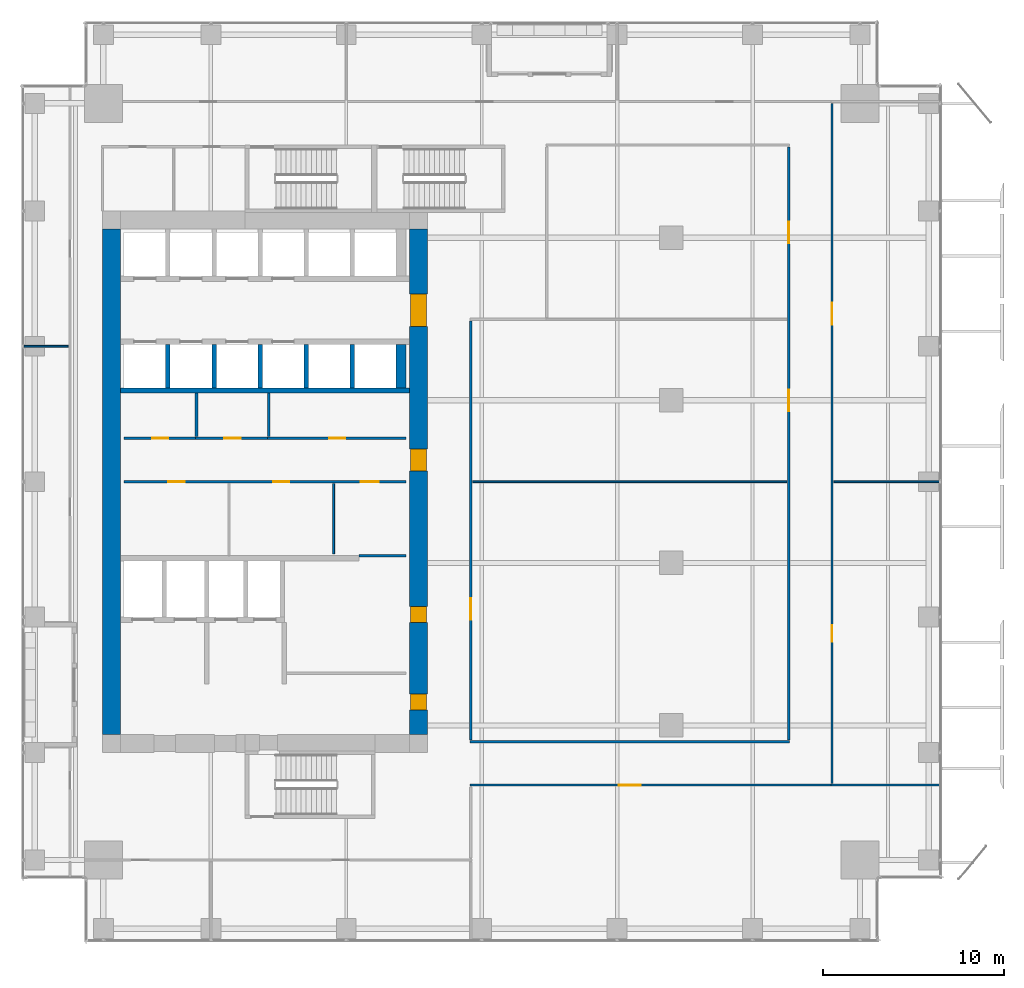
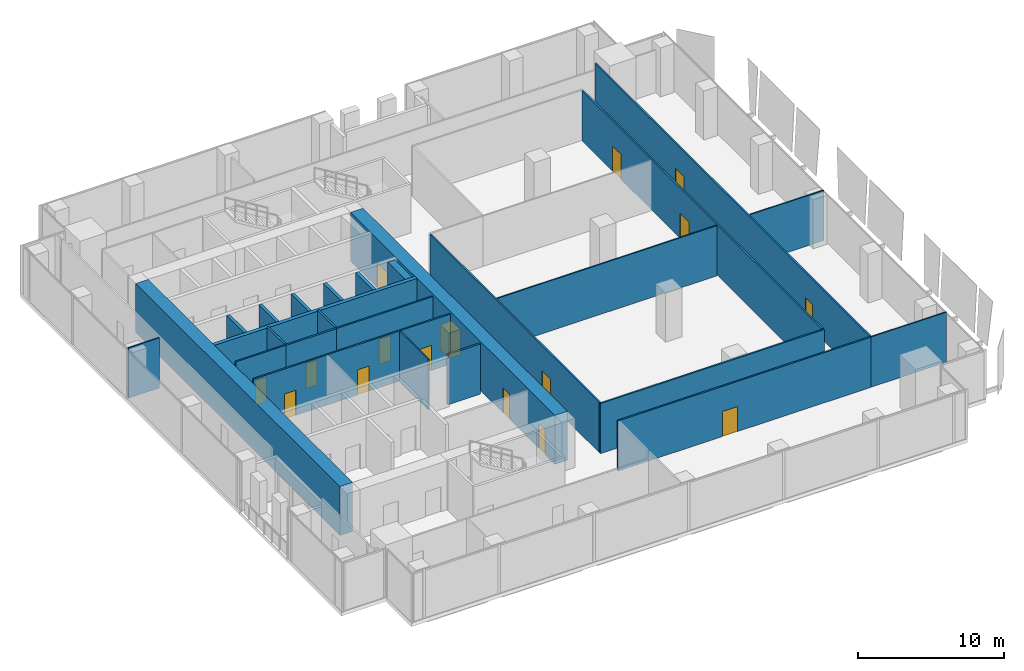
# One storey, part 28 of 33: 26 walls, 16 doors, 16 openings.
"""IFC4 building model written with IfcOpenShell, lengths in metres."""

from ifc_helpers import new_model, si_unit, direction, frame, frame_2d, origin, place, context, subcontext, project, spatial, rectangle, extrude, source, transform, mapped, material, layer, layer_set, type_object, element, fill, save


model = new_model("IFC4")

# Units and contexts
model_context = context("Model", 3, precision=1e-05, world=origin(), true_north=direction((0.0, 1.0)))
body_context = subcontext(model_context, "Body", "Model", "MODEL_VIEW")
ifc_project = project(units=[si_unit("LENGTHUNIT", "METRE"), si_unit("AREAUNIT", "SQUARE_METRE"), si_unit("VOLUMEUNIT", "CUBIC_METRE"), si_unit("PLANEANGLEUNIT", "RADIAN"), si_unit("MASSUNIT", "GRAM", prefix="KILO")], contexts=[model_context])

# Site, building, storey
site_placement = place(None, origin())
site = spatial("IfcSite", under=ifc_project, at=site_placement, CompositionType="ELEMENT")
building_placement = place(site_placement, origin())
building = spatial("IfcBuilding", under=site, at=building_placement, Name="Khomas Fold Tower", CompositionType="ELEMENT")
storey_placement = place(building_placement, frame((0.0, 0.0, 149.89990234375)))
storey = spatial("IfcBuildingStorey", under=building, at=storey_placement, Name="L32", CompositionType="ELEMENT", Elevation=149.89990234375)

# Wall, openings, doors
ifc_material_1 = material(Name="Concrete C70/85", Category="concrete")
ifc_layer_1 = layer(ifc_material_1, 1.0)
ifc_layer_set_1 = layer_set([ifc_layer_1], Name="Concrete C70/85")
wall_type_1 = type_object("IfcWallType", Name="Core wall 1000", PredefinedType="SHEAR", material=ifc_layer_set_1)
shared_shape_1 = source(origin(), body_context, "Body", "SweptSolid", [
    extrude(rectangle(XDim=28.0, YDim=1.0, at=frame_2d((14.0, 0.0))), origin(), (0.0, 0.0, 1.0), 4.10009765625),
])
wall_1_placement = place(storey_placement, frame((23.5, 13.0, 0.0), z_axis=(0.0, 0.0, 1.0), x_axis=(0.0, 1.0, 0.0)))
wall_1 = element("IfcWall", 1, at=wall_1_placement, inside=storey, type_object=wall_type_1, Name="Core wall CW-L-E-L21", PredefinedType="SHEAR", context=body_context, shape_type="MappedRepresentation", body=[
    mapped(shared_shape_1, transform((0.0, 0.0, 0.0))),
])
shared_shape_2 = source(origin(), body_context, "Body", "SweptSolid", [
    extrude(rectangle(XDim=1.800048828125, YDim=2.10009765625, at=frame_2d((0.89990234375, 1.050048828125))), frame((0.0, 0.510009765625, 0.0), z_axis=(0.0, -1.0, 0.0), x_axis=(1.0, 0.0, 0.0)), (0.0, 0.0, 1.0), 1.02001953125),
])
opening_1_placement = place(wall_1_placement, frame((22.60009765625, 0.0, 0.0)))
opening_1 = element("IfcOpeningElement", 2, at=opening_1_placement, cuts=wall_1, Name="Opening 0015", PredefinedType="OPENING", context=body_context, shape_type="MappedRepresentation", body=[
    mapped(shared_shape_2, transform((0.0, 0.0, 0.0))),
])
shared_shape_3 = source(origin(), body_context, "Body", "SweptSolid", [
    extrude(rectangle(XDim=1.199951171875, YDim=2.10009765625, at=frame_2d((0.60009765625, 1.050048828125))), frame((0.0, 0.510009765625, 0.0), z_axis=(0.0, -1.0, 0.0), x_axis=(1.0, 0.0, 0.0)), (0.0, 0.0, 1.0), 1.02001953125),
])
opening_2_placement = place(wall_1_placement, frame((14.60009765625, 0.0, 0.0)))
opening_2 = element("IfcOpeningElement", 3, at=opening_2_placement, cuts=wall_1, Name="Opening 0001", PredefinedType="OPENING", context=body_context, shape_type="MappedRepresentation", body=[
    mapped(shared_shape_3, transform((0.0, 0.0, 0.0))),
])
shared_shape_4 = source(origin(), body_context, "Body", "SweptSolid", [
    extrude(rectangle(XDim=0.89990234375, YDim=2.10009765625, at=frame_2d((0.449951171875, 1.050048828125))), frame((0.0, 0.510009765625, 0.0), z_axis=(0.0, -1.0, 0.0), x_axis=(1.0, 0.0, 0.0)), (0.0, 0.0, 1.0), 1.02001953125),
])
opening_3_placement = place(wall_1_placement, frame((1.35009765625, 0.0, 0.0)))
opening_3 = element("IfcOpeningElement", 4, at=opening_3_placement, cuts=wall_1, Name="Opening 0008", PredefinedType="OPENING", context=body_context, shape_type="MappedRepresentation", body=[
    mapped(shared_shape_4, transform((0.0, 0.0, 0.0))),
])
opening_4_placement = place(wall_1_placement, frame((6.199951171875, 0.0, 0.0)))
opening_4 = element("IfcOpeningElement", 5, at=opening_4_placement, cuts=wall_1, Name="Opening 0003", PredefinedType="OPENING", context=body_context, shape_type="MappedRepresentation", body=[
    mapped(shared_shape_4, transform((0.0, 0.0, 0.0))),
])
ifc_material_2 = material(Name="Steel door leaf", Category="steel")
door_type_1 = type_object("IfcDoorType", Name="Lobby door 1800x2100", OperationType="DOUBLE_DOOR_SINGLE_SWING", PredefinedType="DOOR", material=ifc_material_2)
shared_shape_5 = source(origin(), body_context, "Body", "SweptSolid", [
    extrude(rectangle(XDim=1.800048828125, YDim=2.10009765625, at=frame_2d((0.89990234375, 1.050048828125))), frame((0.0, 0.449951171875, 0.0), z_axis=(0.0, -1.0, 0.0), x_axis=(1.0, 0.0, 0.0)), (0.0, 0.0, 1.0), 0.89990234375),
])
door_1_placement = place(opening_1_placement, origin())
door_1 = element("IfcDoor", 6, at=door_1_placement, inside=storey, type_object=door_type_1, Name="Lobby door", OperationType="DOUBLE_DOOR_SINGLE_SWING", OverallHeight=2.10009765625, OverallWidth=1.800048828125, PredefinedType="DOOR", context=body_context, shape_type="MappedRepresentation", body=[
    mapped(shared_shape_5, transform((0.0, 0.0, 0.0))),
])
fill(opening_1, door_1)
ifc_material_3 = material(Name="Timber door leaf", Category="wood")
door_type_2 = type_object("IfcDoorType", Name="Door 1200x2100 right-hand", OperationType="SINGLE_SWING_RIGHT", PredefinedType="DOOR", material=ifc_material_3)
shared_shape_6 = source(origin(), body_context, "Body", "SweptSolid", [
    extrude(rectangle(XDim=1.199951171875, YDim=2.10009765625, at=frame_2d((0.60009765625, 1.050048828125))), frame((0.0, 0.449951171875, 0.0), z_axis=(0.0, -1.0, 0.0), x_axis=(1.0, 0.0, 0.0)), (0.0, 0.0, 1.0), 0.89990234375),
])
door_2_placement = place(opening_2_placement, origin())
door_2 = element("IfcDoor", 7, at=door_2_placement, inside=storey, type_object=door_type_2, Name="Door", OperationType="SINGLE_SWING_RIGHT", OverallHeight=2.10009765625, OverallWidth=1.199951171875, PredefinedType="DOOR", context=body_context, shape_type="MappedRepresentation", body=[
    mapped(shared_shape_6, transform((0.0, 0.0, 0.0))),
])
fill(opening_2, door_2)
ifc_material_4 = material(Name="Timber door leaf", Category="wood")
door_type_3 = type_object("IfcDoorType", Name="Door 900x2100 right-hand", OperationType="SINGLE_SWING_RIGHT", PredefinedType="DOOR", material=ifc_material_4)
shared_shape_7 = source(origin(), body_context, "Body", "SweptSolid", [
    extrude(rectangle(XDim=0.89990234375, YDim=2.10009765625, at=frame_2d((0.449951171875, 1.050048828125))), frame((0.0, 0.449951171875, 0.0), z_axis=(0.0, -1.0, 0.0), x_axis=(1.0, 0.0, 0.0)), (0.0, 0.0, 1.0), 0.89990234375),
])
door_3_placement = place(opening_3_placement, origin())
door_3 = element("IfcDoor", 8, at=door_3_placement, inside=storey, type_object=door_type_3, Name="Door", OperationType="SINGLE_SWING_RIGHT", OverallHeight=2.10009765625, OverallWidth=0.89990234375, PredefinedType="DOOR", context=body_context, shape_type="MappedRepresentation", body=[
    mapped(shared_shape_7, transform((0.0, 0.0, 0.0))),
])
fill(opening_3, door_3)
ifc_material_5 = material(Name="Steel door leaf", Category="steel")
door_type_4 = type_object("IfcDoorType", Name="Plant room door 900x2100 right-hand", OperationType="SINGLE_SWING_RIGHT", PredefinedType="DOOR", material=ifc_material_5)
door_4_placement = place(opening_4_placement, origin())
door_4 = element("IfcDoor", 9, at=door_4_placement, inside=storey, type_object=door_type_4, Name="Plant room door", OperationType="SINGLE_SWING_RIGHT", OverallHeight=2.10009765625, OverallWidth=0.89990234375, PredefinedType="DOOR", context=body_context, shape_type="MappedRepresentation", body=[
    mapped(shared_shape_7, transform((0.0, 0.0, 0.0))),
])
fill(opening_4, door_4)

# Walls
wall_2_placement = place(storey_placement, frame((6.5, 13.0, 0.0), z_axis=(0.0, 0.0, 1.0), x_axis=(0.0, 1.0, 0.0)))
element("IfcWall", 10, at=wall_2_placement, inside=storey, type_object=wall_type_1, Name="Core wall CW-L-W-L21", PredefinedType="SHEAR", context=body_context, shape_type="MappedRepresentation", body=[
    mapped(shared_shape_1, transform((0.0, 0.0, 0.0))),
])
ifc_material_6 = material(Name="Concrete C50/60", Category="concrete")
ifc_layer_2 = layer(ifc_material_6, 0.300048828125)
ifc_layer_set_2 = layer_set([ifc_layer_2], Name="Concrete C50/60")
wall_type_2 = type_object("IfcWallType", Name="Shaft wall 300", PredefinedType="STANDARD", material=ifc_layer_set_2)
shared_shape_8 = source(origin(), body_context, "Body", "SweptSolid", [
    extrude(rectangle(XDim=16.0, YDim=0.300048828125, at=frame_2d((8.0, 0.0))), origin(), (0.0, 0.0, 1.0), 4.10009765625),
])
wall_3_placement = place(storey_placement, frame((7.0, 32.050048828125, 0.0), z_axis=(0.0, 0.0, 1.0), x_axis=(1.0, 0.0, 0.0)))
element("IfcWall", 11, at=wall_3_placement, inside=storey, type_object=wall_type_2, Name="Core wall SW-HRN-B", PredefinedType="STANDARD", context=body_context, shape_type="MappedRepresentation", body=[
    mapped(shared_shape_8, transform((0.0, 0.0, 0.0))),
])
ifc_material_7 = material(Name="Concrete C50/60", Category="concrete")
ifc_layer_3 = layer(ifc_material_7, 0.25)
ifc_layer_set_3 = layer_set([ifc_layer_3], Name="Concrete C50/60")
wall_type_3 = type_object("IfcWallType", Name="Shaft wall 250", PredefinedType="STANDARD", material=ifc_layer_set_3)
shared_shape_9 = source(origin(), body_context, "Body", "SweptSolid", [
    extrude(rectangle(XDim=2.400146484375, YDim=0.25, at=frame_2d((1.2001953125, 0.0))), origin(), (0.0, 0.0, 1.0), 4.10009765625),
])
for number, where, z_axis, x_axis, name in (
    (12, (9.625, 32.199951171875, 0.0), (0.0, 0.0, 1.0), (0.0, 1.0, 0.0), "Core wall SW-LRS-P1"),
    (13, (12.175048828125, 32.199951171875, 0.0), (0.0, 0.0, 1.0), (0.0, 1.0, 0.0), "Core wall SW-LRS-P2"),
    (14, (14.72509765625, 32.199951171875, 0.0), (0.0, 0.0, 1.0), (0.0, 1.0, 0.0), "Core wall SW-LRS-P3"),
    (15, (17.27490234375, 32.199951171875, 0.0), (0.0, 0.0, 1.0), (0.0, 1.0, 0.0), "Core wall SW-LRS-P4"),
    (16, (19.824951171875, 32.199951171875, 0.0), (0.0, 0.0, 1.0), (0.0, 1.0, 0.0), "Core wall SW-LRS-P5"),
):
    element("IfcWall", number, at=place(storey_placement, frame(where, z_axis=z_axis, x_axis=x_axis)), inside=storey, type_object=wall_type_3, Name=name, PredefinedType="STANDARD", context=body_context, shape_type="MappedRepresentation", body=[
        mapped(shared_shape_9, transform((0.0, 0.0, 0.0))),
    ])
ifc_material_8 = material(Name="Concrete C50/60", Category="concrete")
ifc_layer_4 = layer(ifc_material_8, 0.550048828125)
ifc_layer_set_4 = layer_set([ifc_layer_4], Name="Concrete C50/60")
wall_type_4 = type_object("IfcWallType", Name="Shaft wall 550", PredefinedType="STANDARD", material=ifc_layer_set_4)
shared_shape_10 = source(origin(), body_context, "Body", "SweptSolid", [
    extrude(rectangle(XDim=2.400146484375, YDim=0.550048828125, at=frame_2d((1.2001953125, 0.0))), origin(), (0.0, 0.0, 1.0), 4.10009765625),
])
wall_4_placement = place(storey_placement, frame((22.52490234375, 32.199951171875, 0.0), z_axis=(0.0, 0.0, 1.0), x_axis=(0.0, 1.0, 0.0)))
element("IfcWall", 17, at=wall_4_placement, inside=storey, type_object=wall_type_4, Name="Core wall SW-LRS-PE", PredefinedType="STANDARD", context=body_context, shape_type="MappedRepresentation", body=[
    mapped(shared_shape_10, transform((0.0, 0.0, 0.0))),
])

# Wall, opening, door
ifc_material_9 = material(Name="Plasterboard partition")
ifc_layer_5 = layer(ifc_material_9, 0.125)
ifc_layer_set_5 = layer_set([ifc_layer_5], Name="Plasterboard partition")
wall_type_5 = type_object("IfcWallType", Name="Partition PW2 125", PredefinedType="PARTITIONING", material=ifc_layer_set_5)
shared_shape_11 = source(origin(), body_context, "Body", "SweptSolid", [
    extrude(rectangle(XDim=20.0, YDim=0.125, at=frame_2d((10.0, 0.0))), origin(), (0.0, 0.0, 1.0), 4.2001953125),
])
wall_5_placement = place(storey_placement, frame((26.35009765625, 10.199951171875, 0.0), z_axis=(0.0, 0.0, 1.0), x_axis=(1.0, 0.0, 0.0)))
wall_5 = element("IfcWall", 18, at=wall_5_placement, inside=storey, type_object=wall_type_5, Name="Partition", PredefinedType="PARTITIONING", context=body_context, shape_type="MappedRepresentation", body=[
    mapped(shared_shape_11, transform((0.0, 0.0, 0.0))),
])
shared_shape_12 = source(origin(), body_context, "Body", "SweptSolid", [
    extrude(rectangle(XDim=1.199951171875, YDim=2.10009765625, at=frame_2d((0.60009765625, 1.050048828125))), frame((0.0, 0.072509765625, 0.0), z_axis=(0.0, -1.0, 0.0), x_axis=(1.0, 0.0, 0.0)), (0.0, 0.0, 1.0), 0.14501953125),
])
opening_5_placement = place(wall_5_placement, frame((8.25, 0.0, 0.0)))
opening_5 = element("IfcOpeningElement", 19, at=opening_5_placement, cuts=wall_5, Name="Opening 0013", PredefinedType="OPENING", context=body_context, shape_type="MappedRepresentation", body=[
    mapped(shared_shape_12, transform((0.0, 0.0, 0.0))),
])
ifc_material_10 = material(Name="Timber door leaf", Category="wood")
door_type_5 = type_object("IfcDoorType", Name="Door 1200x2100 left-hand", OperationType="SINGLE_SWING_LEFT", PredefinedType="DOOR", material=ifc_material_10)
shared_shape_13 = source(origin(), body_context, "Body", "SweptSolid", [
    extrude(rectangle(XDim=1.199951171875, YDim=2.10009765625, at=frame_2d((0.60009765625, 1.050048828125))), frame((0.0, 0.02490234375, 0.0), z_axis=(0.0, -1.0, 0.0), x_axis=(1.0, 0.0, 0.0)), (0.0, 0.0, 1.0), 0.050048828125),
])
door_5_placement = place(opening_5_placement, origin())
door_5 = element("IfcDoor", 20, at=door_5_placement, inside=storey, type_object=door_type_5, Name="Door", OperationType="SINGLE_SWING_LEFT", OverallHeight=2.10009765625, OverallWidth=1.199951171875, PredefinedType="DOOR", context=body_context, shape_type="MappedRepresentation", body=[
    mapped(shared_shape_13, transform((0.0, 0.0, 0.0))),
])
fill(opening_5, door_5)

# Wall
ifc_material_11 = material(Name="Plasterboard partition")
ifc_layer_6 = layer(ifc_material_11, 0.10009765625)
ifc_layer_set_6 = layer_set([ifc_layer_6], Name="Plasterboard partition")
wall_type_6 = type_object("IfcWallType", Name="Partition PW1 100", PredefinedType="PARTITIONING", material=ifc_layer_set_6)
shared_shape_14 = source(origin(), body_context, "Body", "SweptSolid", [
    extrude(rectangle(XDim=6.0, YDim=0.10009765625, at=frame_2d((3.0, 0.0))), origin(), (0.0, 0.0, 1.0), 4.2001953125),
])
wall_6_placement = place(storey_placement, frame((46.35009765625, 10.199951171875, 0.0), z_axis=(0.0, 0.0, 1.0), x_axis=(1.0, 0.0, 0.0)))
element("IfcWall", 21, at=wall_6_placement, inside=storey, type_object=wall_type_6, Name="Partition", PredefinedType="PARTITIONING", context=body_context, shape_type="MappedRepresentation", body=[
    mapped(shared_shape_14, transform((0.0, 0.0, 0.0))),
])

# Wall, openings, doors
shared_shape_15 = source(origin(), body_context, "Body", "SweptSolid", [
    extrude(rectangle(XDim=37.64990234375, YDim=0.125, at=frame_2d((18.824951171875, 0.0))), origin(), (0.0, 0.0, 1.0), 4.2001953125),
])
wall_7_placement = place(storey_placement, frame((46.39990234375, 10.300048828125, 0.0), z_axis=(0.0, 0.0, 1.0), x_axis=(0.0, 1.0, 0.0)))
wall_7 = element("IfcWall", 22, at=wall_7_placement, inside=storey, type_object=wall_type_5, Name="Partition", PredefinedType="PARTITIONING", context=body_context, shape_type="MappedRepresentation", body=[
    mapped(shared_shape_15, transform((0.0, 0.0, 0.0))),
])
shared_shape_16 = source(origin(), body_context, "Body", "SweptSolid", [
    extrude(rectangle(XDim=0.89990234375, YDim=2.10009765625, at=frame_2d((0.449951171875, 1.050048828125))), frame((0.0, 0.072509765625, 0.0), z_axis=(0.0, -1.0, 0.0), x_axis=(1.0, 0.0, 0.0)), (0.0, 0.0, 1.0), 0.14501953125),
])
opening_6_placement = place(wall_7_placement, frame((7.85009765625, 0.0, 0.0)))
opening_6 = element("IfcOpeningElement", 23, at=opening_6_placement, cuts=wall_7, Name="Opening 0007", PredefinedType="OPENING", context=body_context, shape_type="MappedRepresentation", body=[
    mapped(shared_shape_16, transform((0.0, 0.0, 0.0))),
])
opening_7_placement = place(wall_7_placement, frame((25.39990234375, 0.0, 0.0)))
opening_7 = element("IfcOpeningElement", 24, at=opening_7_placement, cuts=wall_7, Name="Opening 0013", PredefinedType="OPENING", context=body_context, shape_type="MappedRepresentation", body=[
    mapped(shared_shape_12, transform((0.0, 0.0, 0.0))),
])
ifc_material_12 = material(Name="Timber door leaf", Category="wood")
door_type_6 = type_object("IfcDoorType", Name="Door 900x2100 left-hand", OperationType="SINGLE_SWING_LEFT", PredefinedType="DOOR", material=ifc_material_12)
shared_shape_17 = source(origin(), body_context, "Body", "SweptSolid", [
    extrude(rectangle(XDim=0.89990234375, YDim=2.10009765625, at=frame_2d((0.449951171875, 1.050048828125))), frame((0.0, 0.02490234375, 0.0), z_axis=(0.0, -1.0, 0.0), x_axis=(1.0, 0.0, 0.0)), (0.0, 0.0, 1.0), 0.050048828125),
])
door_6_placement = place(opening_6_placement, origin())
door_6 = element("IfcDoor", 25, at=door_6_placement, inside=storey, type_object=door_type_6, Name="Door", OperationType="SINGLE_SWING_LEFT", OverallHeight=2.10009765625, OverallWidth=0.89990234375, PredefinedType="DOOR", context=body_context, shape_type="MappedRepresentation", body=[
    mapped(shared_shape_17, transform((0.0, 0.0, 0.0))),
])
fill(opening_6, door_6)
door_7_placement = place(opening_7_placement, origin())
door_7 = element("IfcDoor", 26, at=door_7_placement, inside=storey, type_object=door_type_5, Name="Door", OperationType="SINGLE_SWING_LEFT", OverallHeight=2.10009765625, OverallWidth=1.199951171875, PredefinedType="DOOR", context=body_context, shape_type="MappedRepresentation", body=[
    mapped(shared_shape_13, transform((0.0, 0.0, 0.0))),
])
fill(opening_7, door_7)

# Wall
shared_shape_18 = source(origin(), body_context, "Body", "SweptSolid", [
    extrude(rectangle(XDim=17.699951171875, YDim=0.125, at=frame_2d((8.85009765625, 0.0))), origin(), (0.0, 0.0, 1.0), 4.2001953125),
])
wall_8_placement = place(storey_placement, frame((26.35009765625, 12.60009765625, 0.0), z_axis=(0.0, 0.0, 1.0), x_axis=(1.0, 0.0, 0.0)))
element("IfcWall", 27, at=wall_8_placement, inside=storey, type_object=wall_type_5, Name="Partition", PredefinedType="PARTITIONING", context=body_context, shape_type="MappedRepresentation", body=[
    mapped(shared_shape_18, transform((0.0, 0.0, 0.0))),
])

# Wall, opening, door
shared_shape_19 = source(origin(), body_context, "Body", "SweptSolid", [
    extrude(rectangle(XDim=23.199951171875, YDim=0.125, at=frame_2d((11.60009765625, 0.0))), origin(), (0.0, 0.0, 1.0), 4.2001953125),
])
wall_9_placement = place(storey_placement, frame((26.39990234375, 12.699951171875, 0.0), z_axis=(0.0, 0.0, 1.0), x_axis=(0.0, 1.0, 0.0)))
wall_9 = element("IfcWall", 28, at=wall_9_placement, inside=storey, type_object=wall_type_5, Name="Partition", PredefinedType="PARTITIONING", context=body_context, shape_type="MappedRepresentation", body=[
    mapped(shared_shape_19, transform((0.0, 0.0, 0.0))),
])
opening_8_placement = place(wall_9_placement, frame((6.64990234375, 0.0, 0.0)))
opening_8 = element("IfcOpeningElement", 29, at=opening_8_placement, cuts=wall_9, Name="Opening 0001", PredefinedType="OPENING", context=body_context, shape_type="MappedRepresentation", body=[
    mapped(shared_shape_12, transform((0.0, 0.0, 0.0))),
])
door_8_placement = place(opening_8_placement, origin())
door_8 = element("IfcDoor", 30, at=door_8_placement, inside=storey, type_object=door_type_2, Name="Door", OperationType="SINGLE_SWING_RIGHT", OverallHeight=2.10009765625, OverallWidth=1.199951171875, PredefinedType="DOOR", context=body_context, shape_type="MappedRepresentation", body=[
    mapped(shared_shape_13, transform((0.0, 0.0, 0.0))),
])
fill(opening_8, door_8)

# Wall, openings, doors
shared_shape_20 = source(origin(), body_context, "Body", "SweptSolid", [
    extrude(rectangle(XDim=32.85009765625, YDim=0.125, at=frame_2d((16.425048828125, 0.0))), origin(), (0.0, 0.0, 1.0), 4.2001953125),
])
wall_10_placement = place(storey_placement, frame((44.0, 12.699951171875, 0.0), z_axis=(0.0, 0.0, 1.0), x_axis=(0.0, 1.0, 0.0)))
wall_10 = element("IfcWall", 31, at=wall_10_placement, inside=storey, type_object=wall_type_5, Name="Partition", PredefinedType="PARTITIONING", context=body_context, shape_type="MappedRepresentation", body=[
    mapped(shared_shape_20, transform((0.0, 0.0, 0.0))),
])
opening_9_placement = place(wall_10_placement, frame((18.199951171875, 0.0, 0.0)))
opening_9 = element("IfcOpeningElement", 32, at=opening_9_placement, cuts=wall_10, Name="Opening 0013", PredefinedType="OPENING", context=body_context, shape_type="MappedRepresentation", body=[
    mapped(shared_shape_12, transform((0.0, 0.0, 0.0))),
])
opening_10_placement = place(wall_10_placement, frame((27.5, 0.0, 0.0)))
opening_10 = element("IfcOpeningElement", 33, at=opening_10_placement, cuts=wall_10, Name="Opening 0001", PredefinedType="OPENING", context=body_context, shape_type="MappedRepresentation", body=[
    mapped(shared_shape_12, transform((0.0, 0.0, 0.0))),
])
door_9_placement = place(opening_9_placement, origin())
door_9 = element("IfcDoor", 34, at=door_9_placement, inside=storey, type_object=door_type_5, Name="Door", OperationType="SINGLE_SWING_LEFT", OverallHeight=2.10009765625, OverallWidth=1.199951171875, PredefinedType="DOOR", context=body_context, shape_type="MappedRepresentation", body=[
    mapped(shared_shape_13, transform((0.0, 0.0, 0.0))),
])
fill(opening_9, door_9)
door_10_placement = place(opening_10_placement, origin())
door_10 = element("IfcDoor", 35, at=door_10_placement, inside=storey, type_object=door_type_2, Name="Door", OperationType="SINGLE_SWING_RIGHT", OverallHeight=2.10009765625, OverallWidth=1.199951171875, PredefinedType="DOOR", context=body_context, shape_type="MappedRepresentation", body=[
    mapped(shared_shape_13, transform((0.0, 0.0, 0.0))),
])
fill(opening_10, door_10)

# Walls
shared_shape_21 = source(origin(), body_context, "Body", "SweptSolid", [
    extrude(rectangle(XDim=17.39990234375, YDim=0.10009765625, at=frame_2d((8.699951171875, 0.0))), origin(), (0.0, 0.0, 1.0), 4.2001953125),
])
wall_11_placement = place(storey_placement, frame((26.5, 27.0, 0.0), z_axis=(0.0, 0.0, 1.0), x_axis=(1.0, 0.0, 0.0)))
element("IfcWall", 36, at=wall_11_placement, inside=storey, type_object=wall_type_6, Name="Partition", PredefinedType="PARTITIONING", context=body_context, shape_type="MappedRepresentation", body=[
    mapped(shared_shape_21, transform((0.0, 0.0, 0.0))),
])
shared_shape_22 = source(origin(), body_context, "Body", "SweptSolid", [
    extrude(rectangle(XDim=2.4501953125, YDim=0.10009765625, at=frame_2d((1.22509765625, 0.0))), origin(), (0.0, 0.0, 1.0), 4.2001953125),
])
wall_12_placement = place(storey_placement, frame((1.64990234375, 34.5, 0.0), z_axis=(0.0, 0.0, 1.0), x_axis=(1.0, 0.0, 0.0)))
element("IfcWall", 37, at=wall_12_placement, inside=storey, type_object=wall_type_6, Name="Partition", PredefinedType="PARTITIONING", context=body_context, shape_type="MappedRepresentation", body=[
    mapped(shared_shape_22, transform((0.0, 0.0, 0.0))),
])
ifc_material_13 = material(Name="Plasterboard fire partition")
ifc_layer_7 = layer(ifc_material_13, 0.14990234375)
ifc_layer_set_7 = layer_set([ifc_layer_7], Name="Plasterboard fire partition")
wall_type_7 = type_object("IfcWallType", Name="Plant room wall PW3 150", PredefinedType="PARTITIONING", material=ifc_layer_set_7)
shared_shape_23 = source(origin(), body_context, "Body", "SweptSolid", [
    extrude(rectangle(XDim=2.60009765625, YDim=0.14990234375, at=frame_2d((1.300048828125, 0.0))), origin(), (0.0, 0.0, 1.0), 4.2001953125),
])
wall_13_placement = place(storey_placement, frame((20.199951171875, 22.89990234375, 0.0), z_axis=(0.0, 0.0, 1.0), x_axis=(1.0, 0.0, 0.0)))
element("IfcWall", 38, at=wall_13_placement, inside=storey, type_object=wall_type_7, Name="Plant room wall", PredefinedType="PARTITIONING", context=body_context, shape_type="MappedRepresentation", body=[
    mapped(shared_shape_23, transform((0.0, 0.0, 0.0))),
])

# Wall, openings, doors
shared_shape_24 = source(origin(), body_context, "Body", "SweptSolid", [
    extrude(rectangle(XDim=15.60009765625, YDim=0.125, at=frame_2d((7.800048828125, 0.0))), origin(), (0.0, 0.0, 1.0), 4.2001953125),
])
wall_14_placement = place(storey_placement, frame((7.199951171875, 27.0, 0.0), z_axis=(0.0, 0.0, 1.0), x_axis=(1.0, 0.0, 0.0)))
wall_14 = element("IfcWall", 39, at=wall_14_placement, inside=storey, type_object=wall_type_5, Name="Partition", PredefinedType="PARTITIONING", context=body_context, shape_type="MappedRepresentation", body=[
    mapped(shared_shape_24, transform((0.0, 0.0, 0.0))),
])
opening_11_placement = place(wall_14_placement, frame((2.449951171875, 0.0, 0.0)))
opening_11 = element("IfcOpeningElement", 40, at=opening_11_placement, cuts=wall_14, Name="Opening 0005", PredefinedType="OPENING", context=body_context, shape_type="MappedRepresentation", body=[
    mapped(shared_shape_16, transform((0.0, 0.0, 0.0))),
])
opening_12_placement = place(wall_14_placement, frame((8.25, 0.0, 0.0)))
opening_12 = element("IfcOpeningElement", 41, at=opening_12_placement, cuts=wall_14, Name="Opening 0004", PredefinedType="OPENING", context=body_context, shape_type="MappedRepresentation", body=[
    mapped(shared_shape_16, transform((0.0, 0.0, 0.0))),
])
shared_shape_25 = source(origin(), body_context, "Body", "SweptSolid", [
    extrude(rectangle(XDim=1.0, YDim=2.10009765625, at=frame_2d((0.5, 1.050048828125))), frame((0.0, 0.072509765625, 0.0), z_axis=(0.0, -1.0, 0.0), x_axis=(1.0, 0.0, 0.0)), (0.0, 0.0, 1.0), 0.14501953125),
])
opening_13_placement = place(wall_14_placement, frame((13.10009765625, 0.0, 0.0)))
opening_13 = element("IfcOpeningElement", 42, at=opening_13_placement, cuts=wall_14, Name="Opening 0014", PredefinedType="OPENING", context=body_context, shape_type="MappedRepresentation", body=[
    mapped(shared_shape_25, transform((0.0, 0.0, 0.0))),
])
ifc_material_14 = material(Name="Timber door leaf", Category="wood")
door_type_7 = type_object("IfcDoorType", Name="WC door 900x2100 left-hand", OperationType="SINGLE_SWING_LEFT", PredefinedType="DOOR", material=ifc_material_14)
door_11_placement = place(opening_11_placement, origin())
door_11 = element("IfcDoor", 43, at=door_11_placement, inside=storey, type_object=door_type_7, Name="WC door", OperationType="SINGLE_SWING_LEFT", OverallHeight=2.10009765625, OverallWidth=0.89990234375, PredefinedType="DOOR", context=body_context, shape_type="MappedRepresentation", body=[
    mapped(shared_shape_17, transform((0.0, 0.0, 0.0))),
])
fill(opening_11, door_11)
ifc_material_15 = material(Name="Timber door leaf", Category="wood")
door_type_8 = type_object("IfcDoorType", Name="WC door 900x2100 right-hand", OperationType="SINGLE_SWING_RIGHT", PredefinedType="DOOR", material=ifc_material_15)
door_12_placement = place(opening_12_placement, origin())
door_12 = element("IfcDoor", 44, at=door_12_placement, inside=storey, type_object=door_type_8, Name="WC door", OperationType="SINGLE_SWING_RIGHT", OverallHeight=2.10009765625, OverallWidth=0.89990234375, PredefinedType="DOOR", context=body_context, shape_type="MappedRepresentation", body=[
    mapped(shared_shape_17, transform((0.0, 0.0, 0.0))),
])
fill(opening_12, door_12)
ifc_material_16 = material(Name="Timber door leaf", Category="wood")
door_type_9 = type_object("IfcDoorType", Name="WC door 1000x2100 left-hand", OperationType="SINGLE_SWING_LEFT", PredefinedType="DOOR", material=ifc_material_16)
shared_shape_26 = source(origin(), body_context, "Body", "SweptSolid", [
    extrude(rectangle(XDim=1.0, YDim=2.10009765625, at=frame_2d((0.5, 1.050048828125))), frame((0.0, 0.02490234375, 0.0), z_axis=(0.0, -1.0, 0.0), x_axis=(1.0, 0.0, 0.0)), (0.0, 0.0, 1.0), 0.050048828125),
])
door_13_placement = place(opening_13_placement, origin())
door_13 = element("IfcDoor", 45, at=door_13_placement, inside=storey, type_object=door_type_9, Name="WC door", OperationType="SINGLE_SWING_LEFT", OverallHeight=2.10009765625, OverallWidth=1.0, PredefinedType="DOOR", context=body_context, shape_type="MappedRepresentation", body=[
    mapped(shared_shape_26, transform((0.0, 0.0, 0.0))),
])
fill(opening_13, door_13)

# Walls
shared_shape_27 = source(origin(), body_context, "Body", "SweptSolid", [
    extrude(rectangle(XDim=5.85009765625, YDim=0.10009765625, at=frame_2d((2.925048828125, 0.0))), origin(), (0.0, 0.0, 1.0), 4.2001953125),
])
wall_15_placement = place(storey_placement, frame((46.5, 27.0, 0.0), z_axis=(0.0, 0.0, 1.0), x_axis=(1.0, 0.0, 0.0)))
element("IfcWall", 46, at=wall_15_placement, inside=storey, type_object=wall_type_6, Name="Partition", PredefinedType="PARTITIONING", context=body_context, shape_type="MappedRepresentation", body=[
    mapped(shared_shape_27, transform((0.0, 0.0, 0.0))),
])
shared_shape_28 = source(origin(), body_context, "Body", "SweptSolid", [
    extrude(rectangle(XDim=3.89990234375, YDim=0.10009765625, at=frame_2d((1.949951171875, 0.0))), origin(), (0.0, 0.0, 1.0), 4.2001953125),
])
wall_16_placement = place(storey_placement, frame((18.800048828125, 23.0, 0.0), z_axis=(0.0, 0.0, 1.0), x_axis=(0.0, 1.0, 0.0)))
element("IfcWall", 47, at=wall_16_placement, inside=storey, type_object=wall_type_6, Name="Partition", PredefinedType="PARTITIONING", context=body_context, shape_type="MappedRepresentation", body=[
    mapped(shared_shape_28, transform((0.0, 0.0, 0.0))),
])

# Wall, opening, door
shared_shape_29 = source(origin(), body_context, "Body", "SweptSolid", [
    extrude(rectangle(XDim=3.949951171875, YDim=0.125, at=frame_2d((1.97509765625, 0.0))), origin(), (0.0, 0.0, 1.0), 4.2001953125),
])
wall_17_placement = place(storey_placement, frame((7.199951171875, 29.39990234375, 0.0), z_axis=(0.0, 0.0, 1.0), x_axis=(1.0, 0.0, 0.0)))
wall_17 = element("IfcWall", 48, at=wall_17_placement, inside=storey, type_object=wall_type_5, Name="Partition", PredefinedType="PARTITIONING", context=body_context, shape_type="MappedRepresentation", body=[
    mapped(shared_shape_29, transform((0.0, 0.0, 0.0))),
])
opening_14_placement = place(wall_17_placement, frame((1.550048828125, 0.0, 0.0)))
opening_14 = element("IfcOpeningElement", 49, at=opening_14_placement, cuts=wall_17, Name="Opening 0007", PredefinedType="OPENING", context=body_context, shape_type="MappedRepresentation", body=[
    mapped(shared_shape_16, transform((0.0, 0.0, 0.0))),
])
door_14_placement = place(opening_14_placement, origin())
door_14 = element("IfcDoor", 50, at=door_14_placement, inside=storey, type_object=door_type_6, Name="Door", OperationType="SINGLE_SWING_LEFT", OverallHeight=2.10009765625, OverallWidth=0.89990234375, PredefinedType="DOOR", context=body_context, shape_type="MappedRepresentation", body=[
    mapped(shared_shape_17, transform((0.0, 0.0, 0.0))),
])
fill(opening_14, door_14)

shared_shape_30 = source(origin(), body_context, "Body", "SweptSolid", [
    extrude(rectangle(XDim=4.0, YDim=0.14990234375, at=frame_2d((2.0, 0.0))), origin(), (0.0, 0.0, 1.0), 4.2001953125),
])
wall_18_placement = place(storey_placement, frame((11.14990234375, 29.39990234375, 0.0), z_axis=(0.0, 0.0, 1.0), x_axis=(1.0, 0.0, 0.0)))
wall_18 = element("IfcWall", 51, at=wall_18_placement, inside=storey, type_object=wall_type_7, Name="Plant room wall", PredefinedType="PARTITIONING", context=body_context, shape_type="MappedRepresentation", body=[
    mapped(shared_shape_30, transform((0.0, 0.0, 0.0))),
])
shared_shape_31 = source(origin(), body_context, "Body", "SweptSolid", [
    extrude(rectangle(XDim=0.89990234375, YDim=2.10009765625, at=frame_2d((0.449951171875, 1.050048828125))), frame((0.0, 0.0849609375, 0.0), z_axis=(0.0, -1.0, 0.0), x_axis=(1.0, 0.0, 0.0)), (0.0, 0.0, 1.0), 0.169921875),
])
opening_15_placement = place(wall_18_placement, frame((1.60009765625, 0.0, 0.0)))
opening_15 = element("IfcOpeningElement", 52, at=opening_15_placement, cuts=wall_18, Name="Opening 0003", PredefinedType="OPENING", context=body_context, shape_type="MappedRepresentation", body=[
    mapped(shared_shape_31, transform((0.0, 0.0, 0.0))),
])
door_15_placement = place(opening_15_placement, origin())
door_15 = element("IfcDoor", 53, at=door_15_placement, inside=storey, type_object=door_type_4, Name="Plant room door", OperationType="SINGLE_SWING_RIGHT", OverallHeight=2.10009765625, OverallWidth=0.89990234375, PredefinedType="DOOR", context=body_context, shape_type="MappedRepresentation", body=[
    mapped(shared_shape_17, transform((0.0, 0.0, 0.0))),
])
fill(opening_15, door_15)

shared_shape_32 = source(origin(), body_context, "Body", "SweptSolid", [
    extrude(rectangle(XDim=7.650146484375, YDim=0.125, at=frame_2d((3.8251953125, 0.0))), origin(), (0.0, 0.0, 1.0), 4.2001953125),
])
wall_19_placement = place(storey_placement, frame((15.14990234375, 29.39990234375, 0.0), z_axis=(0.0, 0.0, 1.0), x_axis=(1.0, 0.0, 0.0)))
wall_19 = element("IfcWall", 54, at=wall_19_placement, inside=storey, type_object=wall_type_5, Name="Partition", PredefinedType="PARTITIONING", context=body_context, shape_type="MappedRepresentation", body=[
    mapped(shared_shape_32, transform((0.0, 0.0, 0.0))),
])
opening_16_placement = place(wall_19_placement, frame((3.39990234375, 0.0, 0.0)))
opening_16 = element("IfcOpeningElement", 55, at=opening_16_placement, cuts=wall_19, Name="Opening 0007", PredefinedType="OPENING", context=body_context, shape_type="MappedRepresentation", body=[
    mapped(shared_shape_16, transform((0.0, 0.0, 0.0))),
])
door_16_placement = place(opening_16_placement, origin())
door_16 = element("IfcDoor", 56, at=door_16_placement, inside=storey, type_object=door_type_6, Name="Door", OperationType="SINGLE_SWING_LEFT", OverallHeight=2.10009765625, OverallWidth=0.89990234375, PredefinedType="DOOR", context=body_context, shape_type="MappedRepresentation", body=[
    mapped(shared_shape_17, transform((0.0, 0.0, 0.0))),
])
fill(opening_16, door_16)

# Walls
shared_shape_33 = source(origin(), body_context, "Body", "SweptSolid", [
    extrude(rectangle(XDim=2.39990234375, YDim=0.14990234375, at=frame_2d((1.199951171875, 0.0))), origin(), (0.0, 0.0, 1.0), 4.2001953125),
])
for number, where, z_axis, x_axis, name in (
    (57, (11.199951171875, 29.5, 0.0), (0.0, 0.0, 1.0), (0.0, 1.0, 0.0), "Plant room wall"),
    (58, (15.199951171875, 29.5, 0.0), (0.0, 0.0, 1.0), (0.0, 1.0, 0.0), "Plant room wall"),
):
    element("IfcWall", number, at=place(storey_placement, frame(where, z_axis=z_axis, x_axis=x_axis)), inside=storey, type_object=wall_type_7, Name=name, PredefinedType="PARTITIONING", context=body_context, shape_type="MappedRepresentation", body=[
        mapped(shared_shape_33, transform((0.0, 0.0, 0.0))),
    ])

save(model, "model.ifc")
